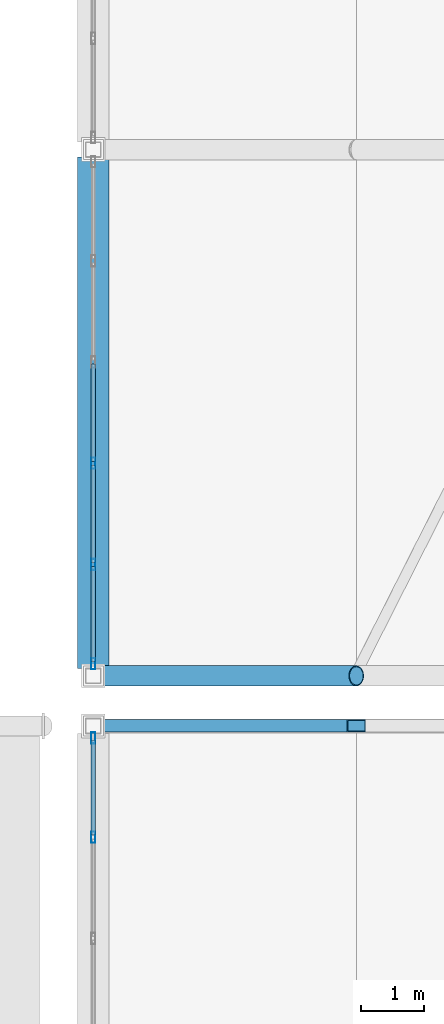
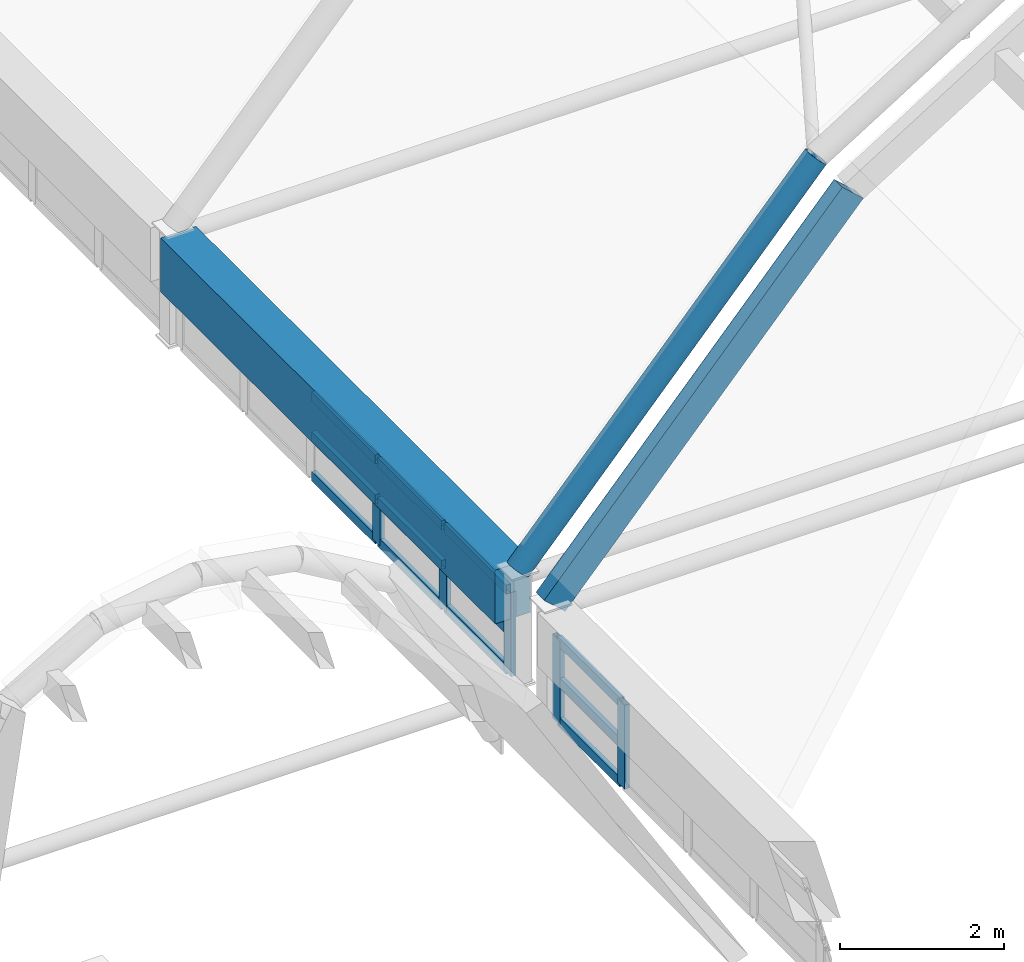
# One storey, part 31 of 114: 17 members, 3 beams, 2 elements without a shape of their own.
"""IFC4 building model written with IfcOpenShell, lengths in metres."""

from ifc_helpers import new_model, si_unit, direction, frame, origin, origin_2d, place, context, subcontext, project, spatial, rectangle, hollow_rectangle, hollow_circle, extrude, material, layer, layer_set, material_profile, profile_set, type_object, element, aggregate, save


model = new_model("IFC4")

# Units and contexts
model_context = context("Model", 3, precision=1e-05, world=origin(), true_north=direction((0.0, 1.0)))
body_context = subcontext(model_context, "Body", "Model", "MODEL_VIEW")
ifc_project = project(units=[si_unit("LENGTHUNIT", "METRE"), si_unit("AREAUNIT", "SQUARE_METRE"), si_unit("VOLUMEUNIT", "CUBIC_METRE"), si_unit("PLANEANGLEUNIT", "RADIAN"), si_unit("MASSUNIT", "GRAM", prefix="KILO")], contexts=[model_context])

# Site, building, storey
site_placement = place(None, origin())
site = spatial("IfcSite", under=ifc_project, at=site_placement, CompositionType="ELEMENT")
building_placement = place(site_placement, origin())
building = spatial("IfcBuilding", under=site, at=building_placement, Name="Xazarin Passage Department Store", CompositionType="ELEMENT")
storey_placement = place(building_placement, frame((0.0, 0.0, 14.39990234375)))
storey = spatial("IfcBuildingStorey", under=building, at=storey_placement, Name="L03", CompositionType="ELEMENT", Elevation=14.39990234375)

# Curtain wall, members
ifc_material_1 = material(Name="Bronze anodised aluminium", Category="aluminium")
ifc_layer = layer(ifc_material_1, 0.159912109375)
ifc_layer_set = layer_set([ifc_layer], Name="Bronze anodised aluminium")
curtain_wall_type = type_object("IfcCurtainWallType", Name="ARC-CW-ARC1", PredefinedType="NOTDEFINED", material=ifc_layer_set)
curtain_wall_1_placement = place(storey_placement, origin())
curtain_wall_1 = element("IfcCurtainWall", 1, at=curtain_wall_1_placement, inside=storey, type_object=curtain_wall_type, Name="L03 V2S Galleria Clerestory Curtain Wall 6W", PredefinedType="NOTDEFINED")
ifc_material_profile_1 = material_profile(ifc_material_1, hollow_rectangle(XDim=0.06494140625, YDim=0.179931640625, WallThickness=0.00390625, at=origin_2d()), Name="ALU 65x180")
ifc_profile_set_1 = profile_set([ifc_material_profile_1], Name="Bronze anodised aluminium")
member_type_1 = type_object("IfcMemberType", Name="ARC-CWM-65x180", PredefinedType="MULLION", material=ifc_profile_set_1)
member_1_placement = place(storey_placement, frame((68.0, 48.6240234375, 0.0), z_axis=(0.0, 0.0, 1.0), x_axis=(-1.0, 0.0, 0.0)))
member_1 = element("IfcMember", 2, at=member_1_placement, type_object=member_type_1, Name="CW3 mullion 5", PredefinedType="MULLION", context=body_context, shape_type="SweptSolid", body=[
    extrude(hollow_rectangle(XDim=0.06494140625, YDim=0.179931640625, WallThickness=0.00390625, at=origin_2d()), origin(), (0.0, 0.0, 1.0), 1.251708984375),
])
member_2_placement = place(storey_placement, frame((68.0, 50.20751953125, 0.0), z_axis=(0.0, 0.0, 1.0), x_axis=(-1.0, 0.0, 0.0)))
member_2 = element("IfcMember", 3, at=member_2_placement, type_object=member_type_1, Name="CW3 mullion 6", PredefinedType="MULLION", context=body_context, shape_type="SweptSolid", body=[
    extrude(hollow_rectangle(XDim=0.06494140625, YDim=0.179931640625, WallThickness=0.00390625, at=origin_2d()), origin(), (0.0, 0.0, 1.0), 1.251708984375),
])

curtain_wall_2_placement = place(storey_placement, origin())
curtain_wall_2 = element("IfcCurtainWall", 4, at=curtain_wall_2_placement, inside=storey, type_object=curtain_wall_type, Name="L03 V2N Galleria Clerestory Curtain Wall 1W", PredefinedType="NOTDEFINED")
member_3_placement = place(storey_placement, frame((68.0, 51.392578125, 0.0), z_axis=(0.0, 0.0, 1.0), x_axis=(-1.0, 0.0, 0.0)))
member_3 = element("IfcMember", 5, at=member_3_placement, type_object=member_type_1, Name="CW3 mullion 1", PredefinedType="MULLION", context=body_context, shape_type="SweptSolid", body=[
    extrude(hollow_rectangle(XDim=0.06494140625, YDim=0.179931640625, WallThickness=0.00390625, at=origin_2d()), origin(), (0.0, 0.0, 1.0), 1.251708984375),
])
member_4_placement = place(storey_placement, frame((68.0, 52.97607421875, 0.0), z_axis=(0.0, 0.0, 1.0), x_axis=(-1.0, 0.0, 0.0)))
member_4 = element("IfcMember", 6, at=member_4_placement, type_object=member_type_1, Name="CW3 mullion 2", PredefinedType="MULLION", context=body_context, shape_type="SweptSolid", body=[
    extrude(hollow_rectangle(XDim=0.06494140625, YDim=0.179931640625, WallThickness=0.00390625, at=origin_2d()), origin(), (0.0, 0.0, 1.0), 1.251708984375),
])
member_5_placement = place(storey_placement, frame((68.0, 54.592041015625, 0.0), z_axis=(0.0, 0.0, 1.0), x_axis=(-1.0, 0.0, 0.0)))
member_5 = element("IfcMember", 7, at=member_5_placement, type_object=member_type_1, Name="CW3 mullion 3", PredefinedType="MULLION", context=body_context, shape_type="SweptSolid", body=[
    extrude(hollow_rectangle(XDim=0.06494140625, YDim=0.179931640625, WallThickness=0.00390625, at=origin_2d()), origin(), (0.0, 0.0, 1.0), 1.251708984375),
])

# Member
ifc_material_profile_2 = material_profile(ifc_material_1, hollow_rectangle(XDim=0.06494140625, YDim=0.139892578125, WallThickness=0.00390625, at=origin_2d()), Name="ALU 65x140")
ifc_profile_set_2 = profile_set([ifc_material_profile_2], Name="Bronze anodised aluminium")
member_type_2 = type_object("IfcMemberType", Name="ARC-CWT-65x140", PredefinedType="USERDEFINED", material=ifc_profile_set_2)
member_6_placement = place(storey_placement, frame((68.0, 48.656494140625, 0.03271484375), z_axis=(0.0, 1.0, 0.0), x_axis=(-1.0, 0.0, 0.0)))
member_6 = element("IfcMember", 8, at=member_6_placement, type_object=member_type_2, Name="CW3 transom 5.1", ObjectType="TRANSOM", PredefinedType="USERDEFINED", context=body_context, shape_type="SweptSolid", body=[
    extrude(hollow_rectangle(XDim=0.06494140625, YDim=0.139892578125, WallThickness=0.00390625, at=origin_2d()), origin(), (0.0, 0.0, 1.0), 1.5185546875),
])

member_7_placement = place(storey_placement, frame((68.0, 48.656494140625, 0.6259765625), z_axis=(0.0, 1.0, 0.0), x_axis=(-1.0, 0.0, 0.0)))
member_7 = element("IfcMember", 9, at=member_7_placement, type_object=member_type_2, Name="CW3 transom 5.2", ObjectType="TRANSOM", PredefinedType="USERDEFINED", context=body_context, shape_type="SweptSolid", body=[
    extrude(hollow_rectangle(XDim=0.06494140625, YDim=0.139892578125, WallThickness=0.00390625, at=origin_2d()), origin(), (0.0, 0.0, 1.0), 1.5185546875),
])

member_8_placement = place(storey_placement, frame((68.0, 48.656494140625, 1.21923828125), z_axis=(0.0, 1.0, 0.0), x_axis=(-1.0, 0.0, 0.0)))
member_8 = element("IfcMember", 10, at=member_8_placement, type_object=member_type_2, Name="CW3 transom 5.3", ObjectType="TRANSOM", PredefinedType="USERDEFINED", context=body_context, shape_type="SweptSolid", body=[
    extrude(hollow_rectangle(XDim=0.06494140625, YDim=0.139892578125, WallThickness=0.00390625, at=origin_2d()), origin(), (0.0, 0.0, 1.0), 1.5185546875),
])

aggregate(curtain_wall_1, [member_1, member_2, member_6, member_7, member_8])

member_9_placement = place(storey_placement, frame((68.0, 51.425048828125, 0.03271484375), z_axis=(0.0, 1.0, 0.0), x_axis=(-1.0, 0.0, 0.0)))
member_9 = element("IfcMember", 11, at=member_9_placement, type_object=member_type_2, Name="CW3 transom 1.1", ObjectType="TRANSOM", PredefinedType="USERDEFINED", context=body_context, shape_type="SweptSolid", body=[
    extrude(hollow_rectangle(XDim=0.06494140625, YDim=0.139892578125, WallThickness=0.00390625, at=origin_2d()), origin(), (0.0, 0.0, 1.0), 1.5185546875),
])

member_10_placement = place(storey_placement, frame((68.0, 51.425048828125, 0.6259765625), z_axis=(0.0, 1.0, 0.0), x_axis=(-1.0, 0.0, 0.0)))
member_10 = element("IfcMember", 12, at=member_10_placement, type_object=member_type_2, Name="CW3 transom 1.2", ObjectType="TRANSOM", PredefinedType="USERDEFINED", context=body_context, shape_type="SweptSolid", body=[
    extrude(hollow_rectangle(XDim=0.06494140625, YDim=0.139892578125, WallThickness=0.00390625, at=origin_2d()), origin(), (0.0, 0.0, 1.0), 1.5185546875),
])

member_11_placement = place(storey_placement, frame((68.0, 51.425048828125, 1.21923828125), z_axis=(0.0, 1.0, 0.0), x_axis=(-1.0, 0.0, 0.0)))
member_11 = element("IfcMember", 13, at=member_11_placement, type_object=member_type_2, Name="CW3 transom 1.3", ObjectType="TRANSOM", PredefinedType="USERDEFINED", context=body_context, shape_type="SweptSolid", body=[
    extrude(hollow_rectangle(XDim=0.06494140625, YDim=0.139892578125, WallThickness=0.00390625, at=origin_2d()), origin(), (0.0, 0.0, 1.0), 1.5185546875),
])

member_12_placement = place(storey_placement, frame((68.0, 53.008544921875, 0.03271484375), z_axis=(0.0, 1.0, 0.0), x_axis=(-1.0, 0.0, 0.0)))
member_12 = element("IfcMember", 14, at=member_12_placement, type_object=member_type_2, Name="CW3 transom 2.1", ObjectType="TRANSOM", PredefinedType="USERDEFINED", context=body_context, shape_type="SweptSolid", body=[
    extrude(hollow_rectangle(XDim=0.06494140625, YDim=0.139892578125, WallThickness=0.00390625, at=origin_2d()), origin(), (0.0, 0.0, 1.0), 1.551025390625),
])

member_13_placement = place(storey_placement, frame((68.0, 53.008544921875, 0.6259765625), z_axis=(0.0, 1.0, 0.0), x_axis=(-1.0, 0.0, 0.0)))
member_13 = element("IfcMember", 15, at=member_13_placement, type_object=member_type_2, Name="CW3 transom 2.2", ObjectType="TRANSOM", PredefinedType="USERDEFINED", context=body_context, shape_type="SweptSolid", body=[
    extrude(hollow_rectangle(XDim=0.06494140625, YDim=0.139892578125, WallThickness=0.00390625, at=origin_2d()), origin(), (0.0, 0.0, 1.0), 1.551025390625),
])

member_14_placement = place(storey_placement, frame((68.0, 53.008544921875, 1.21923828125), z_axis=(0.0, 1.0, 0.0), x_axis=(-1.0, 0.0, 0.0)))
member_14 = element("IfcMember", 16, at=member_14_placement, type_object=member_type_2, Name="CW3 transom 2.3", ObjectType="TRANSOM", PredefinedType="USERDEFINED", context=body_context, shape_type="SweptSolid", body=[
    extrude(hollow_rectangle(XDim=0.06494140625, YDim=0.139892578125, WallThickness=0.00390625, at=origin_2d()), origin(), (0.0, 0.0, 1.0), 1.551025390625),
])

member_15_placement = place(storey_placement, frame((68.0, 54.62451171875, 0.03271484375), z_axis=(0.0, 1.0, 0.0), x_axis=(-1.0, 0.0, 0.0)))
member_15 = element("IfcMember", 17, at=member_15_placement, type_object=member_type_2, Name="CW3 transom 3.1", ObjectType="TRANSOM", PredefinedType="USERDEFINED", context=body_context, shape_type="SweptSolid", body=[
    extrude(hollow_rectangle(XDim=0.06494140625, YDim=0.139892578125, WallThickness=0.00390625, at=origin_2d()), origin(), (0.0, 0.0, 1.0), 1.551025390625),
])

member_16_placement = place(storey_placement, frame((68.0, 54.62451171875, 0.6259765625), z_axis=(0.0, 1.0, 0.0), x_axis=(-1.0, 0.0, 0.0)))
member_16 = element("IfcMember", 18, at=member_16_placement, type_object=member_type_2, Name="CW3 transom 3.2", ObjectType="TRANSOM", PredefinedType="USERDEFINED", context=body_context, shape_type="SweptSolid", body=[
    extrude(hollow_rectangle(XDim=0.06494140625, YDim=0.139892578125, WallThickness=0.00390625, at=origin_2d()), origin(), (0.0, 0.0, 1.0), 1.551025390625),
])

member_17_placement = place(storey_placement, frame((68.0, 54.62451171875, 1.21923828125), z_axis=(0.0, 1.0, 0.0), x_axis=(-1.0, 0.0, 0.0)))
member_17 = element("IfcMember", 19, at=member_17_placement, type_object=member_type_2, Name="CW3 transom 3.3", ObjectType="TRANSOM", PredefinedType="USERDEFINED", context=body_context, shape_type="SweptSolid", body=[
    extrude(hollow_rectangle(XDim=0.06494140625, YDim=0.139892578125, WallThickness=0.00390625, at=origin_2d()), origin(), (0.0, 0.0, 1.0), 1.551025390625),
])

aggregate(curtain_wall_2, [member_3, member_4, member_5, member_9, member_10, member_11, member_12, member_13, member_14, member_15, member_16, member_17])

# Beams
ifc_material_2 = material(Name="Steel S355", Category="steel")
ifc_material_profile_3 = material_profile(ifc_material_2, hollow_circle(Radius=0.161865234375, WallThickness=0.01611328125, at=origin_2d()), Name="CHS 323.9x16")
ifc_profile_set_3 = profile_set([ifc_material_profile_3], Name="Steel S355")
beam_type_1 = type_object("IfcBeamType", Name="STR-BM-AR324", PredefinedType="BEAM", material=ifc_profile_set_3)
beam_1_placement = place(storey_placement, frame((68.0, 51.199951171875, 1.65185546875), z_axis=(0.667891545417, 0.0, 0.74425861336), x_axis=(0.0, 1.0, 0.0)))
element("IfcBeam", 20, at=beam_1_placement, inside=storey, type_object=beam_type_1, Name="V2N Primary Arch Rib 1.1", PredefinedType="BEAM", context=body_context, shape_type="SweptSolid", body=[
    extrude(hollow_circle(Radius=0.161865234375, WallThickness=0.01611328125, at=origin_2d()), origin(), (0.0, 0.0, 1.0), 6.288330078125),
])
ifc_material_profile_4 = material_profile(ifc_material_2, hollow_rectangle(XDim=0.199951171875, YDim=0.39990234375, WallThickness=0.01611328125, at=origin_2d()), Name="RHS 400x200x16")
ifc_profile_set_4 = profile_set([ifc_material_profile_4], Name="Steel S355")
beam_type_2 = type_object("IfcBeamType", Name="STR-BM-AR400", PredefinedType="BEAM", material=ifc_profile_set_4)
beam_2_placement = place(storey_placement, frame((68.0, 50.39990234375, 1.65185546875), z_axis=(0.667891545417, 0.0, 0.74425861336), x_axis=(0.0, 1.0, 0.0)))
element("IfcBeam", 21, at=beam_2_placement, inside=storey, type_object=beam_type_2, Name="V2S Primary Arch Rib 7.1", PredefinedType="BEAM", context=body_context, shape_type="SweptSolid", body=[
    extrude(hollow_rectangle(XDim=0.199951171875, YDim=0.39990234375, WallThickness=0.01611328125, at=origin_2d()), origin(), (0.0, 0.0, 1.0), 6.288330078125),
])
ifc_material_3 = material(Name="Concrete C40/50", Category="concrete")
ifc_material_profile_5 = material_profile(ifc_material_3, rectangle(XDim=0.5, YDim=0.800048828125, at=origin_2d()), Name="RC 500x800")
ifc_profile_set_5 = profile_set([ifc_material_profile_5], Name="Concrete C40/50")
beam_type_3 = type_object("IfcBeamType", Name="STR-BM-RG500x800", PredefinedType="BEAM", material=ifc_profile_set_5)
beam_3_placement = place(storey_placement, frame((68.0, 51.320068359375, 1.251708984375), z_axis=(0.0, 1.0, 0.0), x_axis=(-1.0, 0.0, 0.0)))
element("IfcBeam", 22, at=beam_3_placement, inside=storey, type_object=beam_type_3, Name="V2N Springing Ring Girder W-1", PredefinedType="BEAM", context=body_context, shape_type="SweptSolid", body=[
    extrude(rectangle(XDim=0.5, YDim=0.800048828125, at=origin_2d()), origin(), (0.0, 0.0, 1.0), 8.159912109375),
])

save(model, "model.ifc")
